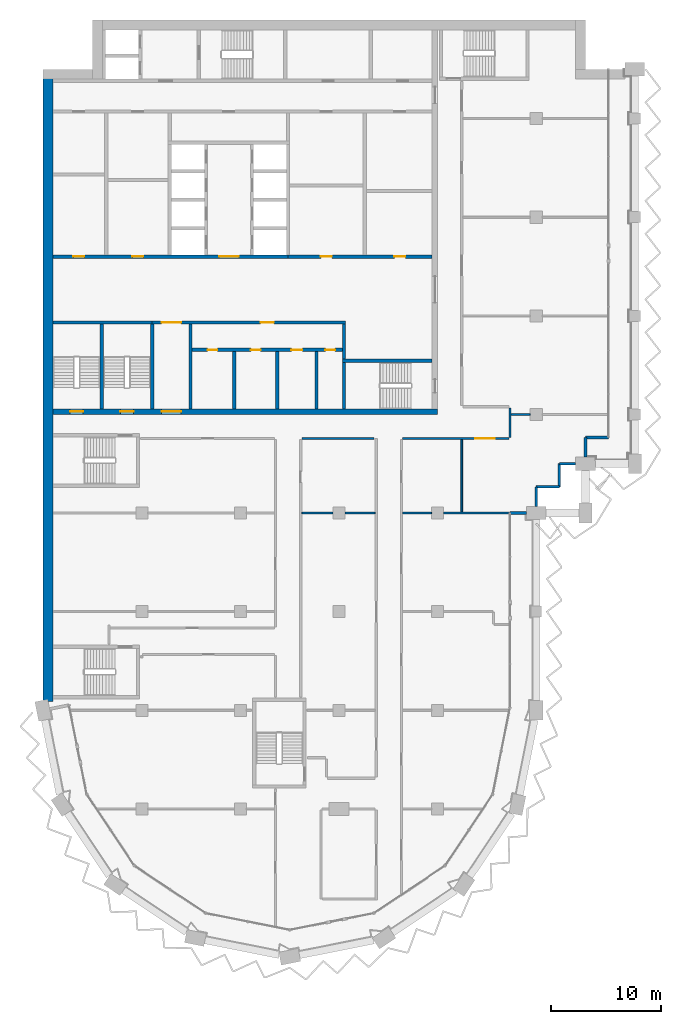
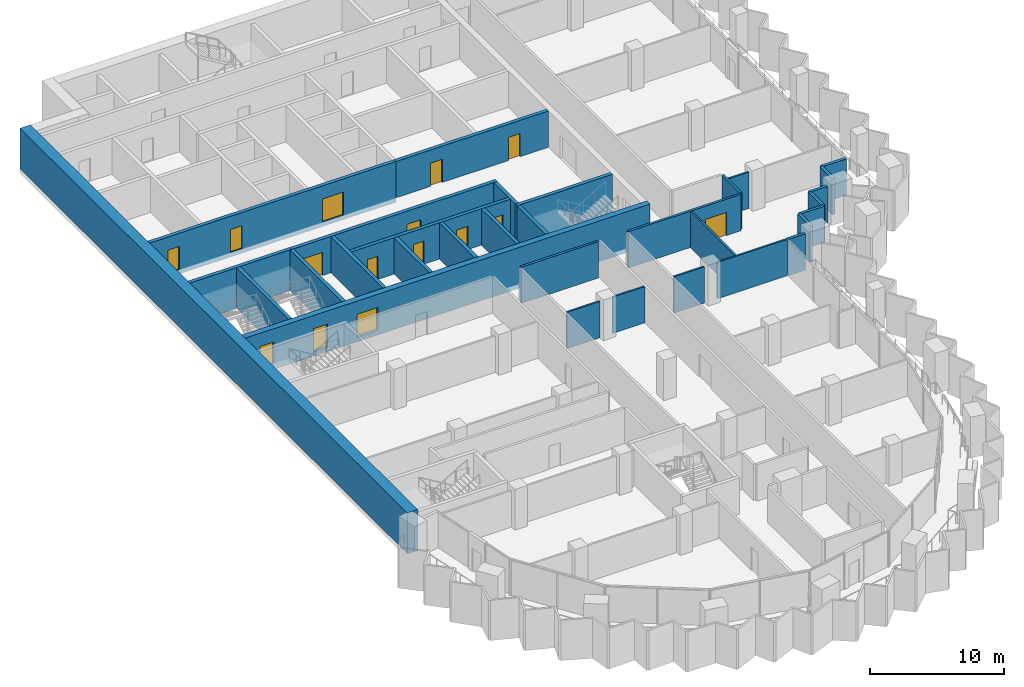
# One storey, part 9 of 17: 32 walls, 15 doors, 15 openings.
"""IFC4 building model written with IfcOpenShell, lengths in metres."""

from ifc_helpers import new_model, si_unit, direction, frame, frame_2d, origin, place, context, subcontext, project, spatial, rectangle, extrude, material, layer, layer_set, type_object, element, fill, save


model = new_model("IFC4")

# Units and contexts
model_context = context("Model", 3, precision=1e-05, world=origin(), true_north=direction((0.0, 1.0)))
body_context = subcontext(model_context, "Body", "Model", "MODEL_VIEW")
ifc_project = project(units=[si_unit("LENGTHUNIT", "METRE"), si_unit("AREAUNIT", "SQUARE_METRE"), si_unit("VOLUMEUNIT", "CUBIC_METRE"), si_unit("PLANEANGLEUNIT", "RADIAN"), si_unit("MASSUNIT", "GRAM", prefix="KILO")], contexts=[model_context])

# Site, building, storey
site_placement = place(None, origin())
site = spatial("IfcSite", under=ifc_project, at=site_placement, CompositionType="ELEMENT")
building_placement = place(site_placement, origin())
building = spatial("IfcBuilding", under=site, at=building_placement, Name="Hunhe Ridgeline Campus", CompositionType="ELEMENT")
storey_placement = place(building_placement, frame((0.0, 0.0, 212.39990234375)))
storey = spatial("IfcBuildingStorey", under=building, at=storey_placement, Name="L54", CompositionType="ELEMENT", Elevation=212.39990234375)

# Wall, openings, doors
ifc_material_1 = material(Name="Masonry concrete blockwork", Category="masonry")
ifc_layer_1 = layer(ifc_material_1, 0.300048828125)
ifc_layer_set_1 = layer_set([ifc_layer_1], Name="Core room partition 300 concrete block")
wall_type_1 = type_object("IfcWallType", Name="Core room partition 300 concrete block", PredefinedType="PARTITIONING", material=ifc_layer_set_1)
wall_1_placement = place(storey_placement, frame((13.60009765625, 68.89990234375, 0.0), z_axis=(0.0, 0.0, 1.0), x_axis=(1.0, 0.0, 0.0)))
wall_1 = element("IfcWall", 1, at=wall_1_placement, inside=storey, type_object=wall_type_1, Name="L54 core partition 9", PredefinedType="PARTITIONING", context=body_context, shape_type="SweptSolid", body=[
    extrude(rectangle(XDim=13.699951171875, YDim=0.300048828125, at=frame_2d((6.85009765625, 0.0))), origin(), (0.0, 0.0, 1.0), 3.300048828125),
])
opening_1_placement = place(wall_1_placement, frame((1.39990234375, 0.0, 0.0)))
opening_1 = element("IfcOpeningElement", 2, at=opening_1_placement, cuts=wall_1, Name="Opening CD8", PredefinedType="OPENING", context=body_context, shape_type="SweptSolid", body=[
    extrude(rectangle(XDim=0.89990234375, YDim=2.10009765625, at=frame_2d((0.449951171875, 1.050048828125))), frame((0.0, 0.14990234375, 0.0), z_axis=(0.0, -1.0, 0.0), x_axis=(1.0, 0.0, 0.0)), (0.0, 0.0, 1.0), 0.300048828125),
])
opening_2_placement = place(wall_1_placement, frame((5.35009765625, 0.0, 0.0)))
opening_2 = element("IfcOpeningElement", 3, at=opening_2_placement, cuts=wall_1, Name="Opening CD9", PredefinedType="OPENING", context=body_context, shape_type="SweptSolid", body=[
    extrude(rectangle(XDim=0.89990234375, YDim=2.10009765625, at=frame_2d((0.449951171875, 1.050048828125))), frame((0.0, 0.14990234375, 0.0), z_axis=(0.0, -1.0, 0.0), x_axis=(1.0, 0.0, 0.0)), (0.0, 0.0, 1.0), 0.300048828125),
])
opening_3_placement = place(wall_1_placement, frame((9.050048828125, 0.0, 0.0)))
opening_3 = element("IfcOpeningElement", 4, at=opening_3_placement, cuts=wall_1, Name="Opening CD10", PredefinedType="OPENING", context=body_context, shape_type="SweptSolid", body=[
    extrude(rectangle(XDim=1.0, YDim=2.10009765625, at=frame_2d((0.5, 1.050048828125))), frame((0.0, 0.14990234375, 0.0), z_axis=(0.0, -1.0, 0.0), x_axis=(1.0, 0.0, 0.0)), (0.0, 0.0, 1.0), 0.300048828125),
])
opening_4_placement = place(wall_1_placement, frame((12.14990234375, 0.0, 0.0)))
opening_4 = element("IfcOpeningElement", 5, at=opening_4_placement, cuts=wall_1, Name="Opening CD11", PredefinedType="OPENING", context=body_context, shape_type="SweptSolid", body=[
    extrude(rectangle(XDim=0.89990234375, YDim=2.10009765625, at=frame_2d((0.449951171875, 1.050048828125))), frame((0.0, 0.14990234375, 0.0), z_axis=(0.0, -1.0, 0.0), x_axis=(1.0, 0.0, 0.0)), (0.0, 0.0, 1.0), 0.300048828125),
])
ifc_material_2 = material(Name="Solid core timber door leaf", Category="wood")
door_type_1 = type_object("IfcDoorType", Name="Timber door 1000x2100", OperationType="SINGLE_SWING_LEFT", PredefinedType="DOOR", material=ifc_material_2)
door_1_placement = place(opening_3_placement, frame((1.0, 0.0, 0.0), z_axis=(0.0, 0.0, 1.0), x_axis=(-1.0, 0.0, 0.0)))
door_1 = element("IfcDoor", 6, at=door_1_placement, inside=storey, type_object=door_type_1, Name="L54 door WC3", OperationType="SINGLE_SWING_LEFT", OverallHeight=2.10009765625, OverallWidth=1.0, PredefinedType="DOOR", context=body_context, shape_type="SweptSolid", body=[
    extrude(rectangle(XDim=1.0, YDim=2.10009765625, at=frame_2d((0.5, 1.050048828125))), frame((0.0, 0.02490234375, 0.0), z_axis=(0.0, -1.0, 0.0), x_axis=(1.0, 0.0, 0.0)), (0.0, 0.0, 1.0), 0.050048828125),
])
fill(opening_3, door_1)
door_type_2 = type_object("IfcDoorType", Name="Timber door 900x2100", OperationType="SINGLE_SWING_LEFT", PredefinedType="DOOR", material=ifc_material_2)
door_2_placement = place(opening_1_placement, frame((0.89990234375, 0.0, 0.0), z_axis=(0.0, 0.0, 1.0), x_axis=(-1.0, 0.0, 0.0)))
door_2 = element("IfcDoor", 7, at=door_2_placement, inside=storey, type_object=door_type_2, Name="L54 door WC1", OperationType="SINGLE_SWING_LEFT", OverallHeight=2.10009765625, OverallWidth=0.89990234375, PredefinedType="DOOR", context=body_context, shape_type="SweptSolid", body=[
    extrude(rectangle(XDim=0.89990234375, YDim=2.10009765625, at=frame_2d((0.449951171875, 1.050048828125))), frame((0.0, 0.02490234375, 0.0), z_axis=(0.0, -1.0, 0.0), x_axis=(1.0, 0.0, 0.0)), (0.0, 0.0, 1.0), 0.050048828125),
])
fill(opening_1, door_2)
door_3_placement = place(opening_2_placement, frame((0.89990234375, 0.0, 0.0), z_axis=(0.0, 0.0, 1.0), x_axis=(-1.0, 0.0, 0.0)))
door_3 = element("IfcDoor", 8, at=door_3_placement, inside=storey, type_object=door_type_2, Name="L54 door WC2", OperationType="SINGLE_SWING_RIGHT", OverallHeight=2.10009765625, OverallWidth=0.89990234375, PredefinedType="DOOR", context=body_context, shape_type="SweptSolid", body=[
    extrude(rectangle(XDim=0.89990234375, YDim=2.10009765625, at=frame_2d((0.449951171875, 1.050048828125))), frame((0.0, 0.02490234375, 0.0), z_axis=(0.0, -1.0, 0.0), x_axis=(1.0, 0.0, 0.0)), (0.0, 0.0, 1.0), 0.050048828125),
])
fill(opening_2, door_3)
door_4_placement = place(opening_4_placement, frame((0.89990234375, 0.0, 0.0), z_axis=(0.0, 0.0, 1.0), x_axis=(-1.0, 0.0, 0.0)))
door_4 = element("IfcDoor", 9, at=door_4_placement, inside=storey, type_object=door_type_2, Name="L54 door WC4", OperationType="SINGLE_SWING_RIGHT", OverallHeight=2.10009765625, OverallWidth=0.89990234375, PredefinedType="DOOR", context=body_context, shape_type="SweptSolid", body=[
    extrude(rectangle(XDim=0.89990234375, YDim=2.10009765625, at=frame_2d((0.449951171875, 1.050048828125))), frame((0.0, 0.02490234375, 0.0), z_axis=(0.0, -1.0, 0.0), x_axis=(1.0, 0.0, 0.0)), (0.0, 0.0, 1.0), 0.050048828125),
])
fill(opening_4, door_4)

wall_2_placement = place(storey_placement, frame((9.949951171875, 71.39990234375, 0.0), z_axis=(0.0, 0.0, 1.0), x_axis=(1.0, 0.0, 0.0)))
wall_2 = element("IfcWall", 10, at=wall_2_placement, inside=storey, type_object=wall_type_1, Name="L54 core partition 11", PredefinedType="PARTITIONING", context=body_context, shape_type="SweptSolid", body=[
    extrude(rectangle(XDim=17.650146484375, YDim=0.300048828125, at=frame_2d((8.8251953125, 0.0))), origin(), (0.0, 0.0, 1.0), 3.300048828125),
])
opening_5_placement = place(wall_2_placement, frame((0.85009765625, 0.0, 0.0)))
opening_5 = element("IfcOpeningElement", 11, at=opening_5_placement, cuts=wall_2, Name="Opening CD7", PredefinedType="OPENING", context=body_context, shape_type="SweptSolid", body=[
    extrude(rectangle(XDim=1.800048828125, YDim=2.10009765625, at=frame_2d((0.89990234375, 1.050048828125))), frame((0.0, 0.14990234375, 0.0), z_axis=(0.0, -1.0, 0.0), x_axis=(1.0, 0.0, 0.0)), (0.0, 0.0, 1.0), 0.300048828125),
])
opening_6_placement = place(wall_2_placement, frame((9.89990234375, 0.0, 0.0)))
opening_6 = element("IfcOpeningElement", 12, at=opening_6_placement, cuts=wall_2, Name="Opening CD12", PredefinedType="OPENING", context=body_context, shape_type="SweptSolid", body=[
    extrude(rectangle(XDim=1.199951171875, YDim=2.10009765625, at=frame_2d((0.60009765625, 1.050048828125))), frame((0.0, 0.14990234375, 0.0), z_axis=(0.0, -1.0, 0.0), x_axis=(1.0, 0.0, 0.0)), (0.0, 0.0, 1.0), 0.300048828125),
])
ifc_material_3 = material(Name="Anodised aluminium and glass", Category="aluminium")
door_type_3 = type_object("IfcDoorType", Name="Glazed double door 1800x2100", OperationType="DOUBLE_DOOR_SINGLE_SWING", PredefinedType="DOOR", material=ifc_material_3)
door_5_placement = place(opening_5_placement, origin())
door_5 = element("IfcDoor", 13, at=door_5_placement, inside=storey, type_object=door_type_3, Name="L54 door VEST-HALL", OperationType="DOUBLE_DOOR_SINGLE_SWING", OverallHeight=2.10009765625, OverallWidth=1.800048828125, PredefinedType="DOOR", context=body_context, shape_type="SweptSolid", body=[
    extrude(rectangle(XDim=1.800048828125, YDim=2.10009765625, at=frame_2d((0.89990234375, 1.050048828125))), frame((0.0, 0.02490234375, 0.0), z_axis=(0.0, -1.0, 0.0), x_axis=(1.0, 0.0, 0.0)), (0.0, 0.0, 1.0), 0.050048828125),
])
fill(opening_5, door_5)
door_type_4 = type_object("IfcDoorType", Name="Timber door 1200x2100", OperationType="SINGLE_SWING_LEFT", PredefinedType="DOOR", material=ifc_material_2)
door_6_placement = place(opening_6_placement, origin())
door_6 = element("IfcDoor", 14, at=door_6_placement, inside=storey, type_object=door_type_4, Name="L54 door WCL2-HALL", OperationType="SINGLE_SWING_RIGHT", OverallHeight=2.10009765625, OverallWidth=1.199951171875, PredefinedType="DOOR", context=body_context, shape_type="SweptSolid", body=[
    extrude(rectangle(XDim=1.199951171875, YDim=2.10009765625, at=frame_2d((0.60009765625, 1.050048828125))), frame((0.0, 0.02490234375, 0.0), z_axis=(0.0, -1.0, 0.0), x_axis=(1.0, 0.0, 0.0)), (0.0, 0.0, 1.0), 0.050048828125),
])
fill(opening_6, door_6)

wall_3_placement = place(storey_placement, frame((22.35009765625, 77.39990234375, 0.0), z_axis=(0.0, 0.0, 1.0), x_axis=(1.0, 0.0, 0.0)))
wall_3 = element("IfcWall", 15, at=wall_3_placement, inside=storey, type_object=wall_type_1, Name="L54 core partition 13", PredefinedType="PARTITIONING", context=body_context, shape_type="SweptSolid", body=[
    extrude(rectangle(XDim=13.14990234375, YDim=0.300048828125, at=frame_2d((6.574951171875, 0.0))), origin(), (0.0, 0.0, 1.0), 3.300048828125),
])
opening_7_placement = place(wall_3_placement, frame((3.0, 0.0, 0.0)))
opening_7 = element("IfcOpeningElement", 16, at=opening_7_placement, cuts=wall_3, Name="Opening CD32", PredefinedType="OPENING", context=body_context, shape_type="SweptSolid", body=[
    extrude(rectangle(XDim=1.0, YDim=2.10009765625, at=frame_2d((0.5, 1.050048828125))), frame((0.0, 0.14990234375, 0.0), z_axis=(0.0, -1.0, 0.0), x_axis=(1.0, 0.0, 0.0)), (0.0, 0.0, 1.0), 0.300048828125),
])
opening_8_placement = place(wall_3_placement, frame((9.699951171875, 0.0, 0.0)))
opening_8 = element("IfcOpeningElement", 17, at=opening_8_placement, cuts=wall_3, Name="Opening CD42", PredefinedType="OPENING", context=body_context, shape_type="SweptSolid", body=[
    extrude(rectangle(XDim=1.0, YDim=2.10009765625, at=frame_2d((0.5, 1.050048828125))), frame((0.0, 0.14990234375, 0.0), z_axis=(0.0, -1.0, 0.0), x_axis=(1.0, 0.0, 0.0)), (0.0, 0.0, 1.0), 0.300048828125),
])
door_7_placement = place(opening_7_placement, origin())
door_7 = element("IfcDoor", 18, at=door_7_placement, inside=storey, type_object=door_type_1, Name="L54 door ES0", OperationType="SINGLE_SWING_RIGHT", OverallHeight=2.10009765625, OverallWidth=1.0, PredefinedType="DOOR", context=body_context, shape_type="SweptSolid", body=[
    extrude(rectangle(XDim=1.0, YDim=2.10009765625, at=frame_2d((0.5, 1.050048828125))), frame((0.0, 0.02490234375, 0.0), z_axis=(0.0, -1.0, 0.0), x_axis=(1.0, 0.0, 0.0)), (0.0, 0.0, 1.0), 0.050048828125),
])
fill(opening_7, door_7)
door_8_placement = place(opening_8_placement, origin())
door_8 = element("IfcDoor", 19, at=door_8_placement, inside=storey, type_object=door_type_1, Name="L54 door ES2", OperationType="SINGLE_SWING_RIGHT", OverallHeight=2.10009765625, OverallWidth=1.0, PredefinedType="DOOR", context=body_context, shape_type="SweptSolid", body=[
    extrude(rectangle(XDim=1.0, YDim=2.10009765625, at=frame_2d((0.5, 1.050048828125))), frame((0.0, 0.02490234375, 0.0), z_axis=(0.0, -1.0, 0.0), x_axis=(1.0, 0.0, 0.0)), (0.0, 0.0, 1.0), 0.050048828125),
])
fill(opening_8, door_8)

# Walls
wall_4_placement = place(storey_placement, frame((13.449951171875, 63.5, 0.0), z_axis=(0.0, 0.0, 1.0), x_axis=(0.0, 1.0, 0.0)))
element("IfcWall", 20, at=wall_4_placement, inside=storey, type_object=wall_type_1, Name="L54 core partition 38", PredefinedType="PARTITIONING", context=body_context, shape_type="SweptSolid", body=[
    extrude(rectangle(XDim=7.75, YDim=0.300048828125, at=frame_2d((3.875, 0.0))), origin(), (0.0, 0.0, 1.0), 3.300048828125),
])
for number, where, z_axis, x_axis, name in (
    (21, (17.449951171875, 63.5, 0.0), (0.0, 0.0, 1.0), (0.0, 1.0, 0.0), "L54 core partition 41"),
    (22, (21.35009765625, 63.5, 0.0), (0.0, 0.0, 1.0), (0.0, 1.0, 0.0), "L54 core partition 44"),
    (23, (24.949951171875, 63.5, 0.0), (0.0, 0.0, 1.0), (0.0, 1.0, 0.0), "L54 core partition 49"),
):
    element("IfcWall", number, at=place(storey_placement, frame(where, z_axis=z_axis, x_axis=x_axis)), inside=storey, type_object=wall_type_1, Name=name, PredefinedType="PARTITIONING", context=body_context, shape_type="SweptSolid", body=[
        extrude(rectangle(XDim=5.25, YDim=0.300048828125, at=frame_2d((2.625, 0.0))), origin(), (0.0, 0.0, 1.0), 3.300048828125),
    ])
wall_5_placement = place(storey_placement, frame((27.449951171875, 68.050048828125, 0.0), z_axis=(0.0, 0.0, 1.0), x_axis=(0.0, 1.0, 0.0)))
element("IfcWall", 24, at=wall_5_placement, inside=storey, type_object=wall_type_1, Name="L54 core partition 51", PredefinedType="PARTITIONING", context=body_context, shape_type="SweptSolid", body=[
    extrude(rectangle(XDim=3.199951171875, YDim=0.300048828125, at=frame_2d((1.60009765625, 0.0))), origin(), (0.0, 0.0, 1.0), 3.300048828125),
])

# Wall, openings, doors
ifc_material_4 = material(Name="Concrete C60", Category="concrete")
ifc_layer_2 = layer(ifc_material_4, 0.5)
ifc_layer_set_2 = layer_set([ifc_layer_2], Name="Core wall 500 reinforced concrete C60")
wall_type_2 = type_object("IfcWallType", Name="Core wall 500 reinforced concrete C60", PredefinedType="SOLIDWALL", material=ifc_layer_set_2)
wall_6_placement = place(storey_placement, frame((0.89990234375, 63.25, -0.39990234375), z_axis=(0.0, 0.0, 1.0), x_axis=(1.0, 0.0, 0.0)))
wall_6 = element("IfcWall", 25, at=wall_6_placement, inside=storey, type_object=wall_type_2, Name="L54 core wall 7", PredefinedType="SOLIDWALL", context=body_context, shape_type="SweptSolid", body=[
    extrude(rectangle(XDim=35.10009765625, YDim=0.5, at=frame_2d((17.550048828125, 0.0))), origin(), (0.0, 0.0, 1.0), 3.699951171875),
])
opening_9_placement = place(wall_6_placement, frame((9.89990234375, 0.0, 0.39990234375)))
opening_9 = element("IfcOpeningElement", 26, at=opening_9_placement, cuts=wall_6, Name="Opening CD6", PredefinedType="OPENING", context=body_context, shape_type="SweptSolid", body=[
    extrude(rectangle(XDim=1.800048828125, YDim=2.10009765625, at=frame_2d((0.89990234375, 1.050048828125))), frame((0.0, 0.25, 0.0), z_axis=(0.0, -1.0, 0.0), x_axis=(1.0, 0.0, 0.0)), (0.0, 0.0, 1.0), 0.5),
])
opening_10_placement = place(wall_6_placement, frame((1.550048828125, 0.0, 0.39990234375)))
opening_10 = element("IfcOpeningElement", 27, at=opening_10_placement, cuts=wall_6, Name="Opening CD13", PredefinedType="OPENING", context=body_context, shape_type="SweptSolid", body=[
    extrude(rectangle(XDim=1.199951171875, YDim=2.10009765625, at=frame_2d((0.60009765625, 1.050048828125))), frame((0.0, 0.25, 0.0), z_axis=(0.0, -1.0, 0.0), x_axis=(1.0, 0.0, 0.0)), (0.0, 0.0, 1.0), 0.5),
])
opening_11_placement = place(wall_6_placement, frame((6.14990234375, 0.0, 0.39990234375)))
opening_11 = element("IfcOpeningElement", 28, at=opening_11_placement, cuts=wall_6, Name="Opening CD14", PredefinedType="OPENING", context=body_context, shape_type="SweptSolid", body=[
    extrude(rectangle(XDim=1.199951171875, YDim=2.10009765625, at=frame_2d((0.60009765625, 1.050048828125))), frame((0.0, 0.25, 0.0), z_axis=(0.0, -1.0, 0.0), x_axis=(1.0, 0.0, 0.0)), (0.0, 0.0, 1.0), 0.5),
])
door_9_placement = place(opening_9_placement, frame((1.800048828125, 0.0, 0.0), z_axis=(0.0, 0.0, 1.0), x_axis=(-1.0, 0.0, 0.0)))
door_9 = element("IfcDoor", 29, at=door_9_placement, inside=storey, type_object=door_type_3, Name="L54 door VEST-FLOOR", OperationType="DOUBLE_DOOR_SINGLE_SWING", OverallHeight=2.10009765625, OverallWidth=1.800048828125, PredefinedType="DOOR", context=body_context, shape_type="SweptSolid", body=[
    extrude(rectangle(XDim=1.800048828125, YDim=2.10009765625, at=frame_2d((0.89990234375, 1.050048828125))), frame((0.0, 0.02490234375, 0.0), z_axis=(0.0, -1.0, 0.0), x_axis=(1.0, 0.0, 0.0)), (0.0, 0.0, 1.0), 0.050048828125),
])
fill(opening_9, door_9)
ifc_material_5 = material(Name="Hollow metal fire door leaf")
door_type_5 = type_object("IfcDoorType", Name="Stair door 1200x2100 FD60", OperationType="SINGLE_SWING_LEFT", PredefinedType="DOOR", material=ifc_material_5)
door_10_placement = place(opening_10_placement, frame((1.199951171875, 0.0, 0.0), z_axis=(0.0, 0.0, 1.0), x_axis=(-1.0, 0.0, 0.0)))
door_10 = element("IfcDoor", 30, at=door_10_placement, inside=storey, type_object=door_type_5, Name="L54 door S3", OperationType="SINGLE_SWING_LEFT", OverallHeight=2.10009765625, OverallWidth=1.199951171875, PredefinedType="DOOR", context=body_context, shape_type="SweptSolid", body=[
    extrude(rectangle(XDim=1.199951171875, YDim=2.10009765625, at=frame_2d((0.60009765625, 1.050048828125))), frame((0.0, 0.02490234375, 0.0), z_axis=(0.0, -1.0, 0.0), x_axis=(1.0, 0.0, 0.0)), (0.0, 0.0, 1.0), 0.050048828125),
])
fill(opening_10, door_10)
door_11_placement = place(opening_11_placement, frame((1.199951171875, 0.0, 0.0), z_axis=(0.0, 0.0, 1.0), x_axis=(-1.0, 0.0, 0.0)))
door_11 = element("IfcDoor", 31, at=door_11_placement, inside=storey, type_object=door_type_5, Name="L54 door S4", OperationType="SINGLE_SWING_RIGHT", OverallHeight=2.10009765625, OverallWidth=1.199951171875, PredefinedType="DOOR", context=body_context, shape_type="SweptSolid", body=[
    extrude(rectangle(XDim=1.199951171875, YDim=2.10009765625, at=frame_2d((0.60009765625, 1.050048828125))), frame((0.0, 0.02490234375, 0.0), z_axis=(0.0, -1.0, 0.0), x_axis=(1.0, 0.0, 0.0)), (0.0, 0.0, 1.0), 0.050048828125),
])
fill(opening_11, door_11)

# Walls
ifc_material_6 = material(Name="Concrete C30", Category="concrete")
ifc_layer_3 = layer(ifc_material_6, 0.25)
ifc_layer_set_3 = layer_set([ifc_layer_3], Name="Corner return wall 250 Concrete C30")
wall_type_3 = type_object("IfcWallType", Name="Corner return wall 250 Concrete C30", PredefinedType="SOLIDWALL", material=ifc_layer_set_3)
wall_7_placement = place(storey_placement, frame((42.59912109375, 54.00048828125, 0.0), z_axis=(0.0, 0.0, 1.0), x_axis=(0.999999986772, 0.00016265452, 0.0)))
element("IfcWall", 32, at=wall_7_placement, inside=storey, type_object=wall_type_3, Name="Corner return wall 2", PredefinedType="SOLIDWALL", context=body_context, shape_type="SweptSolid", body=[
    extrude(rectangle(XDim=1.5009765625, YDim=0.25, at=frame_2d((0.75048828125, 0.0))), origin(), (0.0, 0.0, 1.0), 3.300048828125),
])
wall_8_placement = place(storey_placement, frame((44.9990234375, 54.60009765625, 0.0), z_axis=(0.0, 0.0, 1.0), x_axis=(0.000135593219, 0.999999990807, 0.0)))
element("IfcWall", 33, at=wall_8_placement, inside=storey, type_object=wall_type_3, Name="Corner return wall 3", PredefinedType="SOLIDWALL", context=body_context, shape_type="SweptSolid", body=[
    extrude(rectangle(XDim=1.800537109375, YDim=0.25, at=frame_2d((0.900390625, 0.0))), origin(), (0.0, 0.0, 1.0), 3.300048828125),
])
wall_9_placement = place(storey_placement, frame((44.999267578125, 56.400634765625, 0.0), z_axis=(0.0, 0.0, 1.0), x_axis=(0.999999993241, 0.00011626555, 0.0)))
element("IfcWall", 34, at=wall_9_placement, inside=storey, type_object=wall_type_3, Name="Corner return wall 4", PredefinedType="SOLIDWALL", context=body_context, shape_type="SweptSolid", body=[
    extrude(rectangle(XDim=2.099853515625, YDim=0.25, at=frame_2d((1.0498046875, 0.0))), origin(), (0.0, 0.0, 1.0), 3.300048828125),
])
wall_10_placement = place(storey_placement, frame((47.09912109375, 56.40087890625, 0.0), z_axis=(0.0, 0.0, 1.0), x_axis=(0.000232504063, 0.999999972971, 0.0)))
element("IfcWall", 35, at=wall_10_placement, inside=storey, type_object=wall_type_3, Name="Corner return wall 5", PredefinedType="SOLIDWALL", context=body_context, shape_type="SweptSolid", body=[
    extrude(rectangle(XDim=2.10009765625, YDim=0.25, at=frame_2d((1.050048828125, 0.0))), origin(), (0.0, 0.0, 1.0), 3.300048828125),
])
wall_11_placement = place(storey_placement, frame((47.099609375, 58.5009765625, 0.0), z_axis=(0.0, 0.0, 1.0), x_axis=(1.0, 0.0, 0.0)))
element("IfcWall", 36, at=wall_11_placement, inside=storey, type_object=wall_type_3, Name="Corner return wall 6", PredefinedType="SOLIDWALL", context=body_context, shape_type="SweptSolid", body=[
    extrude(rectangle(XDim=1.50048828125, YDim=0.25, at=frame_2d((0.750244140625, 0.0))), origin(), (0.0, 0.0, 1.0), 3.300048828125),
])
wall_12_placement = place(storey_placement, frame((49.4990234375, 59.10009765625, 0.0), z_axis=(0.0, 0.0, 1.0), x_axis=(0.000271149665, 0.999999963239, 0.0)))
element("IfcWall", 37, at=wall_12_placement, inside=storey, type_object=wall_type_3, Name="Corner return wall 7", PredefinedType="SOLIDWALL", context=body_context, shape_type="SweptSolid", body=[
    extrude(rectangle(XDim=1.80078125, YDim=0.25, at=frame_2d((0.900390625, 0.0))), origin(), (0.0, 0.0, 1.0), 3.300048828125),
])
wall_13_placement = place(storey_placement, frame((49.49951171875, 60.90087890625, 0.0), z_axis=(0.0, 0.0, 1.0), x_axis=(1.0, 0.0, 0.0)))
element("IfcWall", 38, at=wall_13_placement, inside=storey, type_object=wall_type_3, Name="Corner return wall 8", PredefinedType="SOLIDWALL", context=body_context, shape_type="SweptSolid", body=[
    extrude(rectangle(XDim=2.099609375, YDim=0.25, at=frame_2d((1.0498046875, 0.0))), origin(), (0.0, 0.0, 1.0), 3.300048828125),
])
ifc_material_7 = material(Name="Gypsum board partition")
ifc_layer_4 = layer(ifc_material_7, 0.199951171875)
ifc_layer_set_4 = layer_set([ifc_layer_4], Name="Corridor partition 200 gypsum board on steel studs")
wall_type_4 = type_object("IfcWallType", Name="Corridor partition 200 gypsum board on steel studs", PredefinedType="PARTITIONING", material=ifc_layer_set_4)
wall_14_placement = place(storey_placement, frame((30.211669921875, 60.800048828125, 0.0), z_axis=(0.0, 0.0, 1.0), x_axis=(-1.0, 0.0, 0.0)))
element("IfcWall", 39, at=wall_14_placement, inside=storey, type_object=wall_type_4, Name="F-L54-wall-034", PredefinedType="PARTITIONING", context=body_context, shape_type="SweptSolid", body=[
    extrude(rectangle(XDim=6.611572265625, YDim=0.199951171875, at=frame_2d((3.3056640625, 0.0))), origin(), (0.0, 0.0, 1.0), 3.300048828125),
])

# Wall, opening, door
wall_15_placement = place(storey_placement, frame((42.5, 60.800048828125, 0.0), z_axis=(0.0, 0.0, 1.0), x_axis=(-1.0, 0.0, 0.0)))
wall_15 = element("IfcWall", 40, at=wall_15_placement, inside=storey, type_object=wall_type_4, Name="F-L54-wall-035", PredefinedType="PARTITIONING", context=body_context, shape_type="SweptSolid", body=[
    extrude(rectangle(XDim=9.699951171875, YDim=0.199951171875, at=frame_2d((4.85009765625, 0.0))), origin(), (0.0, 0.0, 1.0), 3.300048828125),
])
opening_12_placement = place(wall_15_placement, frame((1.269775390625, 0.0, 0.0)))
opening_12 = element("IfcOpeningElement", 41, at=opening_12_placement, cuts=wall_15, Name="Opening RD2-016", PredefinedType="OPENING", context=body_context, shape_type="SweptSolid", body=[
    extrude(rectangle(XDim=1.800048828125, YDim=2.10009765625, at=frame_2d((0.89990234375, 1.050048828125))), frame((0.0, 0.10009765625, 0.0), z_axis=(0.0, -1.0, 0.0), x_axis=(1.0, 0.0, 0.0)), (0.0, 0.0, 1.0), 0.199951171875),
])
ifc_material_8 = material(Name="Timber door leaf", Category="wood")
door_type_6 = type_object("IfcDoorType", Name="Double fire door 1800x2100 timber FD60", OperationType="DOUBLE_DOOR_SINGLE_SWING", PredefinedType="DOOR", material=ifc_material_8)
door_12_placement = place(opening_12_placement, origin())
door_12 = element("IfcDoor", 42, at=door_12_placement, inside=storey, type_object=door_type_6, Name="F-L54-door-016", OperationType="DOUBLE_DOOR_SINGLE_SWING", OverallHeight=2.10009765625, OverallWidth=1.800048828125, PredefinedType="DOOR", context=body_context, shape_type="SweptSolid", body=[
    extrude(rectangle(XDim=1.800048828125, YDim=2.10009765625, at=frame_2d((0.89990234375, 1.050048828125))), frame((0.0, 0.02490234375, 0.0), z_axis=(0.0, -1.0, 0.0), x_axis=(1.0, 0.0, 0.0)), (0.0, 0.0, 1.0), 0.050048828125),
])
fill(opening_12, door_12)

# Walls
wall_16_placement = place(storey_placement, frame((42.60009765625, 63.60009765625, 0.0), z_axis=(0.0, 0.0, 1.0), x_axis=(0.0, -1.0, 0.0)))
element("IfcWall", 43, at=wall_16_placement, inside=storey, type_object=wall_type_4, Name="F-L54-wall-059", PredefinedType="PARTITIONING", context=body_context, shape_type="SweptSolid", body=[
    extrude(rectangle(XDim=2.7001953125, YDim=0.199951171875, at=frame_2d((1.35009765625, 0.0))), origin(), (0.0, 0.0, 1.0), 3.300048828125),
])
ifc_layer_5 = layer(ifc_material_7, 0.14990234375)
ifc_layer_set_5 = layer_set([ifc_layer_5], Name="Room partition 150 gypsum board on steel studs")
wall_type_5 = type_object("IfcWallType", Name="Room partition 150 gypsum board on steel studs", PredefinedType="PARTITIONING", material=ifc_layer_set_5)
wall_17_placement = place(storey_placement, frame((23.60009765625, 54.0, 0.0), z_axis=(0.0, 0.0, 1.0), x_axis=(1.0, 0.0, 0.0)))
element("IfcWall", 44, at=wall_17_placement, inside=storey, type_object=wall_type_5, Name="F-L54-wall-029", PredefinedType="PARTITIONING", context=body_context, shape_type="SweptSolid", body=[
    extrude(rectangle(XDim=2.849853515625, YDim=0.14990234375, at=frame_2d((1.4248046875, 0.0))), origin(), (0.0, 0.0, 1.0), 3.300048828125),
])
wall_18_placement = place(storey_placement, frame((27.550048828125, 54.0, 0.0), z_axis=(0.0, 0.0, 1.0), x_axis=(1.0, 0.0, 0.0)))
element("IfcWall", 45, at=wall_18_placement, inside=storey, type_object=wall_type_5, Name="F-L54-wall-030", PredefinedType="PARTITIONING", context=body_context, shape_type="SweptSolid", body=[
    extrude(rectangle(XDim=2.75, YDim=0.14990234375, at=frame_2d((1.375, 0.0))), origin(), (0.0, 0.0, 1.0), 3.300048828125),
])
wall_19_placement = place(storey_placement, frame((32.800048828125, 54.0, 0.0), z_axis=(0.0, 0.0, 1.0), x_axis=(1.0, 0.0, 0.0)))
element("IfcWall", 46, at=wall_19_placement, inside=storey, type_object=wall_type_5, Name="F-L54-wall-031", PredefinedType="PARTITIONING", context=body_context, shape_type="SweptSolid", body=[
    extrude(rectangle(XDim=2.64990234375, YDim=0.14990234375, at=frame_2d((1.324951171875, 0.0))), origin(), (0.0, 0.0, 1.0), 3.300048828125),
])
wall_20_placement = place(storey_placement, frame((36.550048828125, 54.0, 0.0), z_axis=(0.0, 0.0, 1.0), x_axis=(1.0, 0.0, 0.0)))
element("IfcWall", 47, at=wall_20_placement, inside=storey, type_object=wall_type_5, Name="F-L54-wall-032", PredefinedType="PARTITIONING", context=body_context, shape_type="SweptSolid", body=[
    extrude(rectangle(XDim=5.9951171875, YDim=0.14990234375, at=frame_2d((2.99755859375, 0.0))), origin(), (0.0, 0.0, 1.0), 3.300048828125),
])
wall_21_placement = place(storey_placement, frame((42.699951171875, 63.0, 0.0), z_axis=(0.0, 0.0, 1.0), x_axis=(1.0, 0.0, 0.0)))
element("IfcWall", 48, at=wall_21_placement, inside=storey, type_object=wall_type_5, Name="F-L54-wall-036", PredefinedType="PARTITIONING", context=body_context, shape_type="SweptSolid", body=[
    extrude(rectangle(XDim=1.75, YDim=0.14990234375, at=frame_2d((0.875, 0.0))), origin(), (0.0, 0.0, 1.0), 3.300048828125),
])
wall_22_placement = place(storey_placement, frame((38.199951171875, 60.699951171875, 0.0), z_axis=(0.0, 0.0, 1.0), x_axis=(0.0, -1.0, 0.0)))
element("IfcWall", 49, at=wall_22_placement, inside=storey, type_object=wall_type_5, Name="F-L54-wall-056", PredefinedType="PARTITIONING", context=body_context, shape_type="SweptSolid", body=[
    extrude(rectangle(XDim=6.625, YDim=0.14990234375, at=frame_2d((3.3125, 0.0))), origin(), (0.0, 0.0, 1.0), 3.300048828125),
])

# Wall, openings, doors
ifc_layer_6 = layer(ifc_material_4, 0.300048828125)
ifc_layer_set_6 = layer_set([ifc_layer_6], Name="Shaft wall 300 reinforced concrete C60")
wall_type_6 = type_object("IfcWallType", Name="Shaft wall 300 reinforced concrete C60", PredefinedType="SOLIDWALL", material=ifc_layer_set_6)
wall_23_placement = place(storey_placement, frame((0.89990234375, 77.39990234375, -0.39990234375), z_axis=(0.0, 0.0, 1.0), x_axis=(1.0, 0.0, 0.0)))
wall_23 = element("IfcWall", 50, at=wall_23_placement, inside=storey, type_object=wall_type_6, Name="L54 core wall 12", PredefinedType="SOLIDWALL", context=body_context, shape_type="SweptSolid", body=[
    extrude(rectangle(XDim=21.4501953125, YDim=0.300048828125, at=frame_2d((10.72509765625, 0.0))), origin(), (0.0, 0.0, 1.0), 3.699951171875),
])
opening_13_placement = place(wall_23_placement, frame((15.14990234375, 0.0, 0.39990234375)))
opening_13 = element("IfcOpeningElement", 51, at=opening_13_placement, cuts=wall_23, Name="Opening CD38", PredefinedType="OPENING", context=body_context, shape_type="SweptSolid", body=[
    extrude(rectangle(XDim=1.800048828125, YDim=2.10009765625, at=frame_2d((0.89990234375, 1.050048828125))), frame((0.0, 0.14990234375, 0.0), z_axis=(0.0, -1.0, 0.0), x_axis=(1.0, 0.0, 0.0)), (0.0, 0.0, 1.0), 0.300048828125),
])
opening_14_placement = place(wall_23_placement, frame((1.85009765625, 0.0, 0.39990234375)))
opening_14 = element("IfcOpeningElement", 52, at=opening_14_placement, cuts=wall_23, Name="Opening CD39", PredefinedType="OPENING", context=body_context, shape_type="SweptSolid", body=[
    extrude(rectangle(XDim=1.0, YDim=2.10009765625, at=frame_2d((0.5, 1.050048828125))), frame((0.0, 0.14990234375, 0.0), z_axis=(0.0, -1.0, 0.0), x_axis=(1.0, 0.0, 0.0)), (0.0, 0.0, 1.0), 0.300048828125),
])
opening_15_placement = place(wall_23_placement, frame((7.25, 0.0, 0.39990234375)))
opening_15 = element("IfcOpeningElement", 53, at=opening_15_placement, cuts=wall_23, Name="Opening CD41", PredefinedType="OPENING", context=body_context, shape_type="SweptSolid", body=[
    extrude(rectangle(XDim=1.0, YDim=2.10009765625, at=frame_2d((0.5, 1.050048828125))), frame((0.0, 0.14990234375, 0.0), z_axis=(0.0, -1.0, 0.0), x_axis=(1.0, 0.0, 0.0)), (0.0, 0.0, 1.0), 0.300048828125),
])
door_type_7 = type_object("IfcDoorType", Name="Lobby door 1800x2100 FD60", OperationType="SINGLE_SWING_LEFT", PredefinedType="DOOR", material=ifc_material_5)
door_13_placement = place(opening_13_placement, frame((1.800048828125, 0.0, 0.0), z_axis=(0.0, 0.0, 1.0), x_axis=(-1.0, 0.0, 0.0)))
door_13 = element("IfcDoor", 54, at=door_13_placement, inside=storey, type_object=door_type_7, Name="L54 door LOB-HR", OperationType="SINGLE_SWING_RIGHT", OverallHeight=2.10009765625, OverallWidth=1.800048828125, PredefinedType="DOOR", context=body_context, shape_type="SweptSolid", body=[
    extrude(rectangle(XDim=1.800048828125, YDim=2.10009765625, at=frame_2d((0.89990234375, 1.050048828125))), frame((0.0, 0.02490234375, 0.0), z_axis=(0.0, -1.0, 0.0), x_axis=(1.0, 0.0, 0.0)), (0.0, 0.0, 1.0), 0.050048828125),
])
fill(opening_13, door_13)
door_14_placement = place(opening_14_placement, origin())
door_14 = element("IfcDoor", 55, at=door_14_placement, inside=storey, type_object=door_type_1, Name="L54 door VD-LR0", OperationType="SINGLE_SWING_LEFT", OverallHeight=2.10009765625, OverallWidth=1.0, PredefinedType="DOOR", context=body_context, shape_type="SweptSolid", body=[
    extrude(rectangle(XDim=1.0, YDim=2.10009765625, at=frame_2d((0.5, 1.050048828125))), frame((0.0, 0.02490234375, 0.0), z_axis=(0.0, -1.0, 0.0), x_axis=(1.0, 0.0, 0.0)), (0.0, 0.0, 1.0), 0.050048828125),
])
fill(opening_14, door_14)
door_15_placement = place(opening_15_placement, origin())
door_15 = element("IfcDoor", 56, at=door_15_placement, inside=storey, type_object=door_type_1, Name="L54 door VD-LR2", OperationType="SINGLE_SWING_LEFT", OverallHeight=2.10009765625, OverallWidth=1.0, PredefinedType="DOOR", context=body_context, shape_type="SweptSolid", body=[
    extrude(rectangle(XDim=1.0, YDim=2.10009765625, at=frame_2d((0.5, 1.050048828125))), frame((0.0, 0.02490234375, 0.0), z_axis=(0.0, -1.0, 0.0), x_axis=(1.0, 0.0, 0.0)), (0.0, 0.0, 1.0), 0.050048828125),
])
fill(opening_15, door_15)

# Walls
ifc_layer_7 = layer(ifc_material_4, 0.89990234375)
ifc_layer_set_7 = layer_set([ifc_layer_7], Name="Spine wall 900 Concrete C60")
wall_type_7 = type_object("IfcWallType", Name="Spine wall 900 Concrete C60", PredefinedType="SHEAR", material=ifc_layer_set_7)
wall_24_placement = place(storey_placement, frame((0.449951171875, 94.5, 0.0), z_axis=(0.0, 0.0, 1.0), x_axis=(0.0, -1.0, 0.0)))
element("IfcWall", 57, at=wall_24_placement, inside=storey, type_object=wall_type_7, Name="Spine wall SW3-1 L54", PredefinedType="SHEAR", context=body_context, shape_type="SweptSolid", body=[
    extrude(rectangle(XDim=57.686767578125, YDim=0.89990234375, at=frame_2d((28.84326171875, 0.0))), origin(), (0.0, 0.0, 1.0), 3.7001953125),
])
ifc_layer_8 = layer(ifc_material_4, 0.300048828125)
ifc_layer_set_8 = layer_set([ifc_layer_8], Name="Stair wall 300 reinforced concrete C60")
wall_type_8 = type_object("IfcWallType", Name="Stair wall 300 reinforced concrete C60", PredefinedType="SOLIDWALL", material=ifc_layer_set_8)
wall_25_placement = place(storey_placement, frame((27.300048828125, 67.89990234375, -0.39990234375), z_axis=(0.0, 0.0, 1.0), x_axis=(1.0, 0.0, 0.0)))
element("IfcWall", 58, at=wall_25_placement, inside=storey, type_object=wall_type_8, Name="L54 core wall 8", PredefinedType="SOLIDWALL", context=body_context, shape_type="SweptSolid", body=[
    extrude(rectangle(XDim=8.199951171875, YDim=0.300048828125, at=frame_2d((4.10009765625, 0.0))), origin(), (0.0, 0.0, 1.0), 3.699951171875),
])
wall_26_placement = place(storey_placement, frame((0.89990234375, 71.39990234375, -0.39990234375), z_axis=(0.0, 0.0, 1.0), x_axis=(1.0, 0.0, 0.0)))
element("IfcWall", 59, at=wall_26_placement, inside=storey, type_object=wall_type_8, Name="L54 core wall 10", PredefinedType="SOLIDWALL", context=body_context, shape_type="SweptSolid", body=[
    extrude(rectangle(XDim=9.050048828125, YDim=0.300048828125, at=frame_2d((4.52490234375, 0.0))), origin(), (0.0, 0.0, 1.0), 3.699951171875),
])
for number, where, z_axis, x_axis, name in (
    (60, (5.35009765625, 63.5, -0.39990234375), (0.0, 0.0, 1.0), (0.0, 1.0, 0.0), "L54 core wall 29"),
    (61, (9.949951171875, 63.5, -0.39990234375), (0.0, 0.0, 1.0), (0.0, 1.0, 0.0), "L54 core wall 35"),
):
    element("IfcWall", number, at=place(storey_placement, frame(where, z_axis=z_axis, x_axis=x_axis)), inside=storey, type_object=wall_type_8, Name=name, PredefinedType="SOLIDWALL", context=body_context, shape_type="SweptSolid", body=[
        extrude(rectangle(XDim=7.75, YDim=0.300048828125, at=frame_2d((3.875, 0.0))), origin(), (0.0, 0.0, 1.0), 3.699951171875),
    ])
wall_27_placement = place(storey_placement, frame((27.449951171875, 63.5, -0.39990234375), z_axis=(0.0, 0.0, 1.0), x_axis=(0.0, 1.0, 0.0)))
element("IfcWall", 62, at=wall_27_placement, inside=storey, type_object=wall_type_8, Name="L54 core wall 50", PredefinedType="SOLIDWALL", context=body_context, shape_type="SweptSolid", body=[
    extrude(rectangle(XDim=4.25, YDim=0.300048828125, at=frame_2d((2.125, 0.0))), origin(), (0.0, 0.0, 1.0), 3.699951171875),
])

save(model, "model.ifc")
